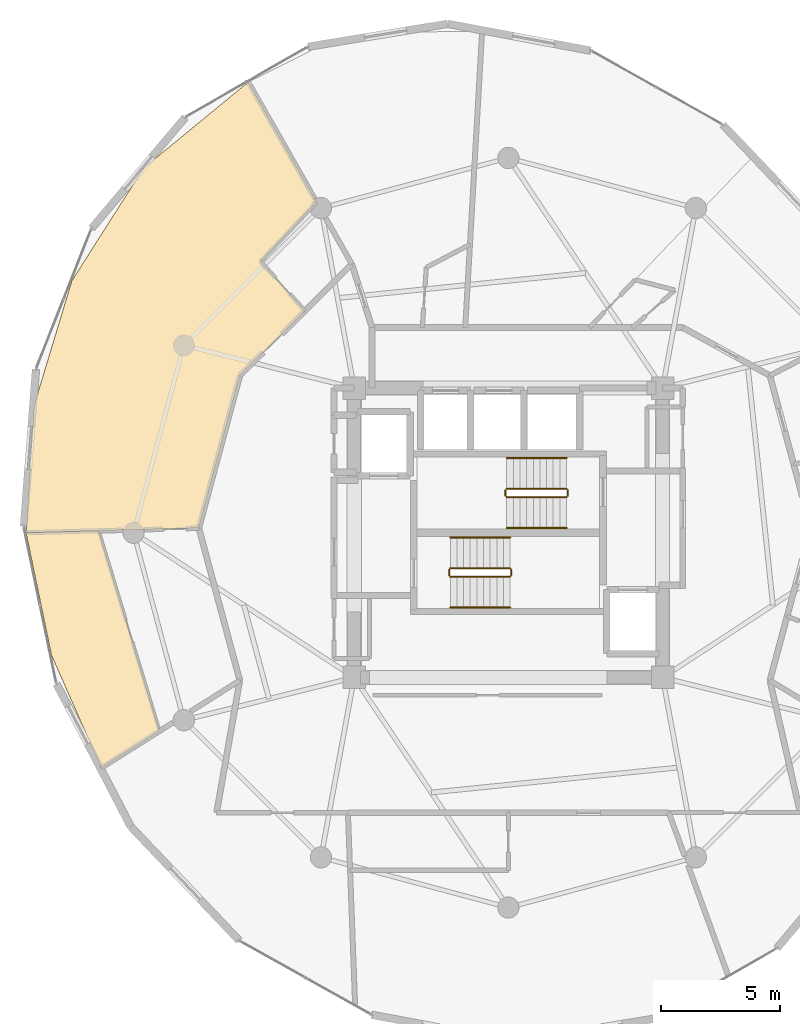
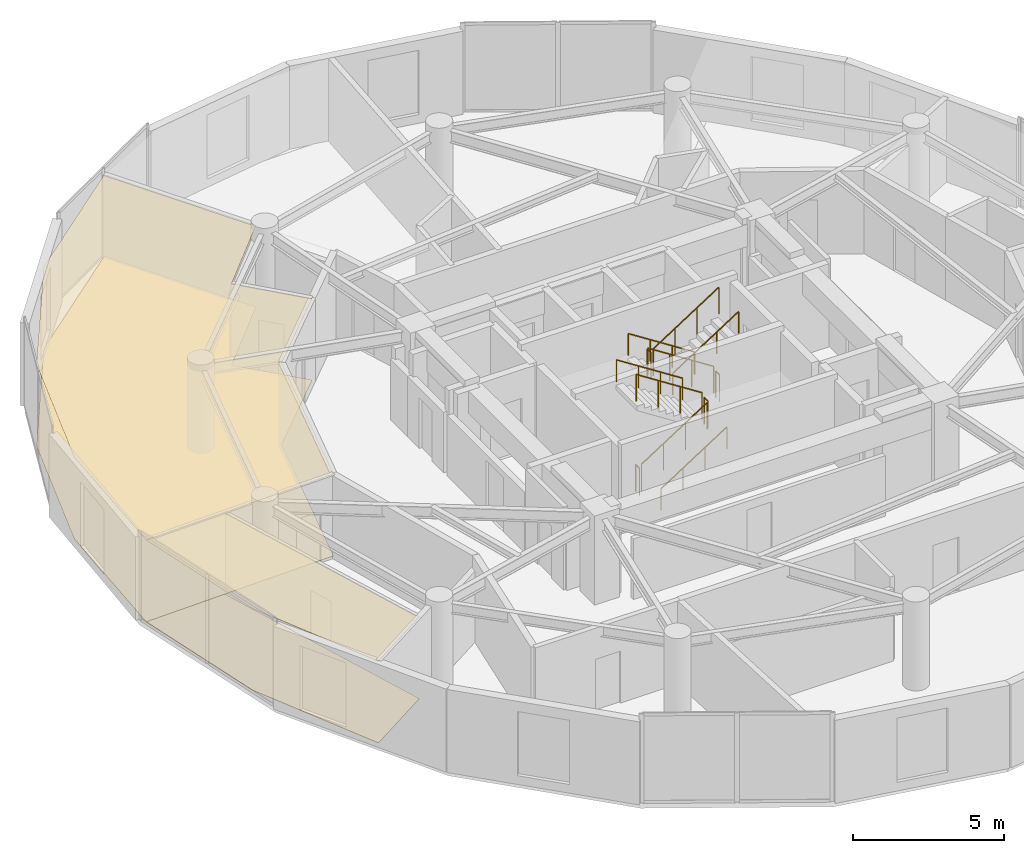
# One storey, part 20 of 21: 12 railings, 4 coverings.
"""IFC4 building model written with IfcOpenShell, lengths in metres."""

from ifc_helpers import new_model, si_unit, direction, frame, origin, origin_2d, place, context, subcontext, project, spatial, polyline, circle, outline, extrude, material, layer, layer_set, type_object, element, save


model = new_model("IFC4")

# Units and contexts
model_context = context("Model", 3, precision=1e-05, world=origin(), true_north=direction((0.0, 1.0)))
body_context = subcontext(model_context, "Body", "Model", "MODEL_VIEW")
ifc_project = project(units=[si_unit("LENGTHUNIT", "METRE"), si_unit("AREAUNIT", "SQUARE_METRE"), si_unit("VOLUMEUNIT", "CUBIC_METRE"), si_unit("PLANEANGLEUNIT", "RADIAN"), si_unit("MASSUNIT", "GRAM", prefix="KILO")], contexts=[model_context])

# Site, building, storey
site_placement = place(None, origin())
site = spatial("IfcSite", under=ifc_project, at=site_placement, CompositionType="ELEMENT")
building_placement = place(site_placement, origin())
building = spatial("IfcBuilding", under=site, at=building_placement, Name="Solvirekh Grand Hotel", CompositionType="ELEMENT")
storey_placement = place(building_placement, frame((0.0, 0.0, 220.0)))
storey = spatial("IfcBuildingStorey", under=building, at=storey_placement, Name="L57", CompositionType="ELEMENT", Elevation=220.0)

# Coverings
ifc_material_1 = material(Name="Acoustic Mineral Ceiling Tile")
ifc_layer_1 = layer(ifc_material_1, 0.02490234375)
ifc_layer_set_1 = layer_set([ifc_layer_1], Name="Acoustic Mineral Ceiling Tile")
covering_type_1 = type_object("IfcCoveringType", Name="Cov_Ceiling_Acoustic", PredefinedType="CEILING", material=ifc_layer_set_1)
covering_1_placement = place(storey_placement, frame((0.0, 0.0, 3.31005859375)))
element("IfcCovering", 1, at=covering_1_placement, inside=storey, type_object=covering_type_1, Name="L57 Diplomatic Suite 5903 Living Room acoustic ceiling", PredefinedType="CEILING", context=body_context, shape_type="SweptSolid", body=[
    extrude(outline(polyline([(-10.455078125, 11.43603515625), (-8.0849609375, 13.93505859375), (-10.967041015625, 18.9951171875), (-15.375, 15.375), (-18.40087890625, 10.6240234375), (-19.9970703125, 5.35791015625), (-20.33203125, 0.0), (-13.050048828125, 0.199951171875), (-11.322021484375, 6.625), (-8.5830078125, 9.35302734375), (-10.455078125, 11.43603515625)])), origin(), (0.0, 0.0, 1.0), 0.017822265625),
])
covering_2_placement = place(storey_placement, frame((0.0, 0.0, 3.31005859375)))
element("IfcCovering", 2, at=covering_2_placement, inside=storey, type_object=covering_type_1, Name="L57 Diplomatic Suite 5903 Master Bedroom acoustic ceiling", PredefinedType="CEILING", context=body_context, shape_type="SweptSolid", body=[
    extrude(outline(polyline([(-20.33203125, 0.0), (-19.260009765625, -5.160888671875), (-17.1650390625, -9.909912109375), (-14.7109375, -8.362060546875), (-17.27392578125, 0.083984375), (-20.33203125, 0.0)])), origin(), (0.0, 0.0, 1.0), 0.017822265625),
])
ifc_material_2 = material(Name="Porcelain Stoneware Flooring", Category="masonry")
ifc_layer_2 = layer(ifc_material_2, 0.030029296875)
ifc_layer_set_2 = layer_set([ifc_layer_2], Name="Porcelain Stoneware Flooring")
covering_type_2 = type_object("IfcCoveringType", Name="Cov_Floor_Stone", PredefinedType="FLOORING", material=ifc_layer_set_2)
covering_3_placement = place(storey_placement, origin())
element("IfcCovering", 3, at=covering_3_placement, inside=storey, type_object=covering_type_2, Name="L57 Diplomatic Suite 5903 Living Room polished granite flooring", PredefinedType="FLOORING", context=body_context, shape_type="SweptSolid", body=[
    extrude(outline(polyline([(-10.455078125, 11.43603515625), (-8.0849609375, 13.93505859375), (-10.967041015625, 18.9951171875), (-15.375, 15.375), (-18.40087890625, 10.6240234375), (-19.9970703125, 5.35791015625), (-20.33203125, 0.0), (-13.050048828125, 0.199951171875), (-11.322021484375, 6.625), (-8.5830078125, 9.35302734375), (-10.455078125, 11.43603515625)])), origin(), (0.0, 0.0, 1.0), 0.02001953125),
])
covering_4_placement = place(storey_placement, origin())
element("IfcCovering", 4, at=covering_4_placement, inside=storey, type_object=covering_type_2, Name="L57 Diplomatic Suite 5903 Master Bedroom polished granite flooring", PredefinedType="FLOORING", context=body_context, shape_type="SweptSolid", body=[
    extrude(outline(polyline([(-20.33203125, 0.0), (-19.260009765625, -5.160888671875), (-17.1650390625, -9.909912109375), (-14.7109375, -8.362060546875), (-17.27392578125, 0.083984375), (-20.33203125, 0.0)])), origin(), (0.0, 0.0, 1.0), 0.02001953125),
])

# Railings
ifc_material_3 = material(Name="Steel S355", Category="steel")
railing_type_1 = type_object("IfcRailingType", Name="Guard_Stair_1100", PredefinedType="GUARDRAIL", material=ifc_material_3)
railing_1_placement = place(storey_placement, frame((-2.449951171875, -1.85009765625, 0.179931640625)))
element("IfcRailing", 5, at=railing_1_placement, inside=storey, type_object=railing_type_1, Name="L57 ST-1 stair guard 1", PredefinedType="GUARDRAIL", context=body_context, shape_type="SweptSolid", body=[
    extrude(circle(Radius=0.02392578125, at=origin_2d()), frame((0.0, 0.0, 1.076171875), z_axis=(0.841162588446, 0.0, 0.540782303519), x_axis=(0.0, 1.0, 0.0)), (0.0, 0.0, 1.0), 2.995849609375),
    extrude(circle(Radius=0.02099609375, at=origin_2d()), origin(), (0.0, 0.0, 1.0), 1.052001953125),
    extrude(circle(Radius=0.02099609375, at=origin_2d()), frame((0.840087890625, 0.0, 0.5400390625)), (0.0, 0.0, 1.0), 1.052001953125),
    extrude(circle(Radius=0.02099609375, at=origin_2d()), frame((1.679931640625, 0.0, 1.080078125)), (0.0, 0.0, 1.0), 1.052001953125),
    extrude(circle(Radius=0.02099609375, at=origin_2d()), frame((2.52001953125, 0.0, 1.6201171875)), (0.0, 0.0, 1.0), 1.052001953125),
])
railing_2_placement = place(storey_placement, frame((0.1201171875, -1.800048828125, 1.800048828125)))
element("IfcRailing", 6, at=railing_2_placement, inside=storey, type_object=railing_type_1, Name="L57 ST-1 stair guard 2", PredefinedType="GUARDRAIL", context=body_context, shape_type="SweptSolid", body=[
    extrude(circle(Radius=0.02392578125, at=origin_2d()), frame((0.0, 0.0, 1.076171875), z_axis=(0.0, 1.0, 0.0), x_axis=(-1.0, 0.0, 0.0)), (0.0, 0.0, 1.0), 0.25),
    extrude(circle(Radius=0.02099609375, at=origin_2d()), origin(), (0.0, 0.0, 1.0), 1.052001953125),
    extrude(circle(Radius=0.02099609375, at=origin_2d()), frame((0.0, 0.25, 0.0)), (0.0, 0.0, 1.0), 1.052001953125),
])
railing_3_placement = place(storey_placement, frame((0.070068359375, -1.5, 1.97998046875)))
element("IfcRailing", 7, at=railing_3_placement, inside=storey, type_object=railing_type_1, Name="L57 ST-1 stair guard 3", PredefinedType="GUARDRAIL", context=body_context, shape_type="SweptSolid", body=[
    extrude(circle(Radius=0.02392578125, at=origin_2d()), frame((0.0, 0.0, 1.076171875), z_axis=(-0.841162588446, 0.0, 0.540782303519), x_axis=(0.0, -1.0, 0.0)), (0.0, 0.0, 1.0), 2.995849609375),
    extrude(circle(Radius=0.02099609375, at=origin_2d()), origin(), (0.0, 0.0, 1.0), 1.052001953125),
    extrude(circle(Radius=0.02099609375, at=origin_2d()), frame((-0.840087890625, 0.0, 0.5400390625)), (0.0, 0.0, 1.0), 1.052001953125),
    extrude(circle(Radius=0.02099609375, at=origin_2d()), frame((-1.679931640625, 0.0, 1.080078125)), (0.0, 0.0, 1.0), 1.052001953125),
    extrude(circle(Radius=0.02099609375, at=origin_2d()), frame((-2.52001953125, 0.0, 1.6201171875)), (0.0, 0.0, 1.0), 1.052001953125),
])
railing_4_placement = place(storey_placement, frame((-2.5, -1.800048828125, 0.0)))
element("IfcRailing", 8, at=railing_4_placement, inside=storey, type_object=railing_type_1, Name="L57 ST-1 stair guard 4", PredefinedType="GUARDRAIL", context=body_context, shape_type="SweptSolid", body=[
    extrude(circle(Radius=0.02392578125, at=origin_2d()), frame((0.0, 0.0, 1.076171875), z_axis=(0.0, 1.0, 0.0), x_axis=(-1.0, 0.0, 0.0)), (0.0, 0.0, 1.0), 0.25),
    extrude(circle(Radius=0.02099609375, at=origin_2d()), origin(), (0.0, 0.0, 1.0), 1.052001953125),
    extrude(circle(Radius=0.02099609375, at=origin_2d()), frame((0.0, 0.25, 0.0)), (0.0, 0.0, 1.0), 1.052001953125),
])
railing_5_placement = place(storey_placement, frame((2.449951171875, 1.85009765625, 0.179931640625)))
element("IfcRailing", 9, at=railing_5_placement, inside=storey, type_object=railing_type_1, Name="L57 ST-2 stair guard 1", PredefinedType="GUARDRAIL", context=body_context, shape_type="SweptSolid", body=[
    extrude(circle(Radius=0.02392578125, at=origin_2d()), frame((0.0, 0.0, 1.076171875), z_axis=(-0.841162588446, 0.0, 0.540782303519), x_axis=(0.0, -1.0, 0.0)), (0.0, 0.0, 1.0), 2.995849609375),
    extrude(circle(Radius=0.02099609375, at=origin_2d()), origin(), (0.0, 0.0, 1.0), 1.052001953125),
    extrude(circle(Radius=0.02099609375, at=origin_2d()), frame((-0.840087890625, 0.0, 0.5400390625)), (0.0, 0.0, 1.0), 1.052001953125),
    extrude(circle(Radius=0.02099609375, at=origin_2d()), frame((-1.679931640625, 0.0, 1.080078125)), (0.0, 0.0, 1.0), 1.052001953125),
    extrude(circle(Radius=0.02099609375, at=origin_2d()), frame((-2.52001953125, 0.0, 1.6201171875)), (0.0, 0.0, 1.0), 1.052001953125),
])
railing_6_placement = place(storey_placement, frame((-0.1201171875, 1.800048828125, 1.800048828125)))
element("IfcRailing", 10, at=railing_6_placement, inside=storey, type_object=railing_type_1, Name="L57 ST-2 stair guard 2", PredefinedType="GUARDRAIL", context=body_context, shape_type="SweptSolid", body=[
    extrude(circle(Radius=0.02392578125, at=origin_2d()), frame((0.0, 0.0, 1.076171875), z_axis=(0.0, -1.0, 0.0), x_axis=(1.0, 0.0, 0.0)), (0.0, 0.0, 1.0), 0.25),
    extrude(circle(Radius=0.02099609375, at=origin_2d()), origin(), (0.0, 0.0, 1.0), 1.052001953125),
    extrude(circle(Radius=0.02099609375, at=origin_2d()), frame((0.0, -0.25, 0.0)), (0.0, 0.0, 1.0), 1.052001953125),
])
railing_7_placement = place(storey_placement, frame((-0.070068359375, 1.5, 1.97998046875)))
element("IfcRailing", 11, at=railing_7_placement, inside=storey, type_object=railing_type_1, Name="L57 ST-2 stair guard 3", PredefinedType="GUARDRAIL", context=body_context, shape_type="SweptSolid", body=[
    extrude(circle(Radius=0.02392578125, at=origin_2d()), frame((0.0, 0.0, 1.076171875), z_axis=(0.841162588446, 0.0, 0.540782303519), x_axis=(0.0, 1.0, 0.0)), (0.0, 0.0, 1.0), 2.995849609375),
    extrude(circle(Radius=0.02099609375, at=origin_2d()), origin(), (0.0, 0.0, 1.0), 1.052001953125),
    extrude(circle(Radius=0.02099609375, at=origin_2d()), frame((0.840087890625, 0.0, 0.5400390625)), (0.0, 0.0, 1.0), 1.052001953125),
    extrude(circle(Radius=0.02099609375, at=origin_2d()), frame((1.679931640625, 0.0, 1.080078125)), (0.0, 0.0, 1.0), 1.052001953125),
    extrude(circle(Radius=0.02099609375, at=origin_2d()), frame((2.52001953125, 0.0, 1.6201171875)), (0.0, 0.0, 1.0), 1.052001953125),
])
railing_8_placement = place(storey_placement, frame((2.5, 1.800048828125, 0.0)))
element("IfcRailing", 12, at=railing_8_placement, inside=storey, type_object=railing_type_1, Name="L57 ST-2 stair guard 4", PredefinedType="GUARDRAIL", context=body_context, shape_type="SweptSolid", body=[
    extrude(circle(Radius=0.02392578125, at=origin_2d()), frame((0.0, 0.0, 1.076171875), z_axis=(0.0, -1.0, 0.0), x_axis=(1.0, 0.0, 0.0)), (0.0, 0.0, 1.0), 0.25),
    extrude(circle(Radius=0.02099609375, at=origin_2d()), origin(), (0.0, 0.0, 1.0), 1.052001953125),
    extrude(circle(Radius=0.02099609375, at=origin_2d()), frame((0.0, -0.25, 0.0)), (0.0, 0.0, 1.0), 1.052001953125),
])
ifc_material_4 = material(Name="Anodized Bronze Aluminium 6063-T6", Category="aluminium")
railing_type_2 = type_object("IfcRailingType", Name="Handrail_Wall_900", PredefinedType="HANDRAIL", material=ifc_material_4)
railing_9_placement = place(storey_placement, frame((-2.449951171875, -3.14990234375, 0.179931640625)))
element("IfcRailing", 13, at=railing_9_placement, inside=storey, type_object=railing_type_2, Name="L57 ST-1 stair handrail 1", PredefinedType="HANDRAIL", context=body_context, shape_type="SweptSolid", body=[
    extrude(circle(Radius=0.02392578125, at=origin_2d()), frame((0.0, 0.0, 0.8759765625), z_axis=(0.841162588446, 0.0, 0.540782303519), x_axis=(0.0, 1.0, 0.0)), (0.0, 0.0, 1.0), 2.995849609375),
    extrude(circle(Radius=0.02099609375, at=origin_2d()), origin(), (0.0, 0.0, 1.0), 0.851806640625),
    extrude(circle(Radius=0.02099609375, at=origin_2d()), frame((0.840087890625, 0.0, 0.5400390625)), (0.0, 0.0, 1.0), 0.851806640625),
    extrude(circle(Radius=0.02099609375, at=origin_2d()), frame((1.679931640625, 0.0, 1.080078125)), (0.0, 0.0, 1.0), 0.851806640625),
    extrude(circle(Radius=0.02099609375, at=origin_2d()), frame((2.52001953125, 0.0, 1.6201171875)), (0.0, 0.0, 1.0), 0.851806640625),
])
for number, where, name in (
    (14, (0.070068359375, -0.199951171875, 1.97998046875), "L57 ST-1 stair handrail 2"),
    (15, (2.449951171875, 3.14990234375, 0.179931640625), "L57 ST-2 stair handrail 1"),
):
    element("IfcRailing", number, at=place(storey_placement, frame(where)), inside=storey, type_object=railing_type_2, Name=name, PredefinedType="HANDRAIL", context=body_context, shape_type="SweptSolid", body=[
        extrude(circle(Radius=0.02392578125, at=origin_2d()), frame((0.0, 0.0, 0.8759765625), z_axis=(-0.841162588446, 0.0, 0.540782303519), x_axis=(0.0, -1.0, 0.0)), (0.0, 0.0, 1.0), 2.995849609375),
        extrude(circle(Radius=0.02099609375, at=origin_2d()), origin(), (0.0, 0.0, 1.0), 0.851806640625),
        extrude(circle(Radius=0.02099609375, at=origin_2d()), frame((-0.840087890625, 0.0, 0.5400390625)), (0.0, 0.0, 1.0), 0.851806640625),
        extrude(circle(Radius=0.02099609375, at=origin_2d()), frame((-1.679931640625, 0.0, 1.080078125)), (0.0, 0.0, 1.0), 0.851806640625),
        extrude(circle(Radius=0.02099609375, at=origin_2d()), frame((-2.52001953125, 0.0, 1.6201171875)), (0.0, 0.0, 1.0), 0.851806640625),
    ])
railing_10_placement = place(storey_placement, frame((-0.070068359375, 0.199951171875, 1.97998046875)))
element("IfcRailing", 16, at=railing_10_placement, inside=storey, type_object=railing_type_2, Name="L57 ST-2 stair handrail 2", PredefinedType="HANDRAIL", context=body_context, shape_type="SweptSolid", body=[
    extrude(circle(Radius=0.02392578125, at=origin_2d()), frame((0.0, 0.0, 0.8759765625), z_axis=(0.841162588446, 0.0, 0.540782303519), x_axis=(0.0, 1.0, 0.0)), (0.0, 0.0, 1.0), 2.995849609375),
    extrude(circle(Radius=0.02099609375, at=origin_2d()), origin(), (0.0, 0.0, 1.0), 0.851806640625),
    extrude(circle(Radius=0.02099609375, at=origin_2d()), frame((0.840087890625, 0.0, 0.5400390625)), (0.0, 0.0, 1.0), 0.851806640625),
    extrude(circle(Radius=0.02099609375, at=origin_2d()), frame((1.679931640625, 0.0, 1.080078125)), (0.0, 0.0, 1.0), 0.851806640625),
    extrude(circle(Radius=0.02099609375, at=origin_2d()), frame((2.52001953125, 0.0, 1.6201171875)), (0.0, 0.0, 1.0), 0.851806640625),
])

save(model, "model.ifc")
